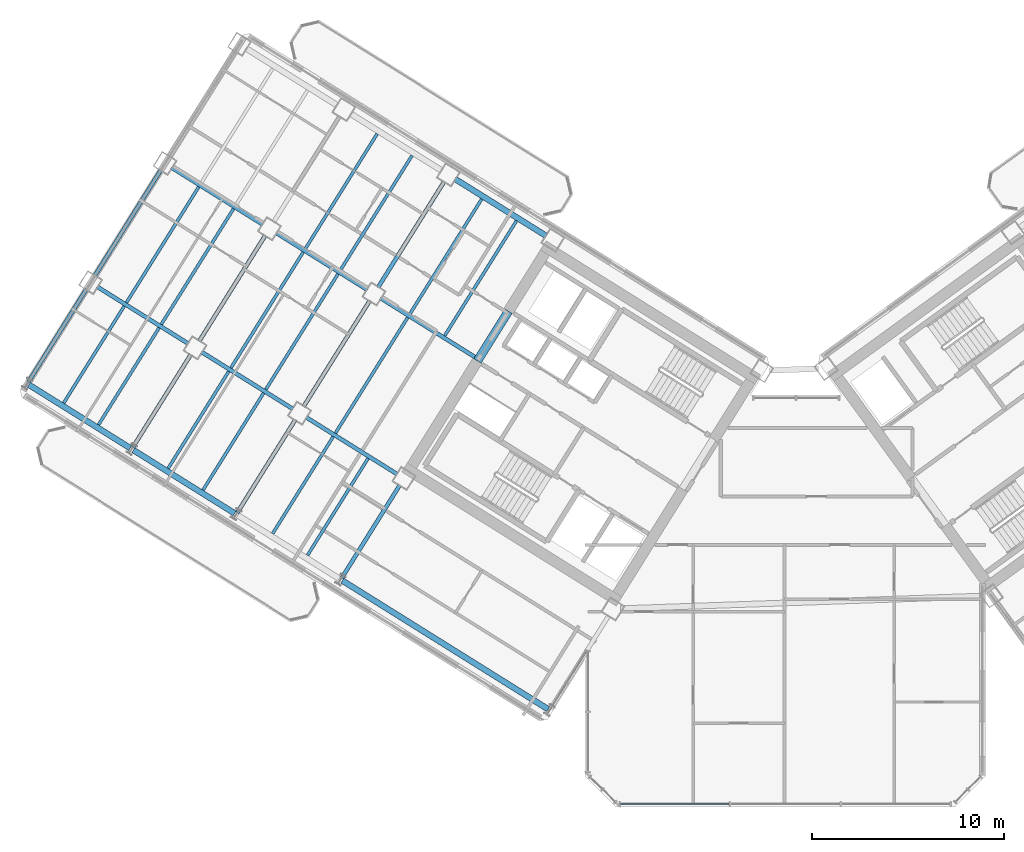
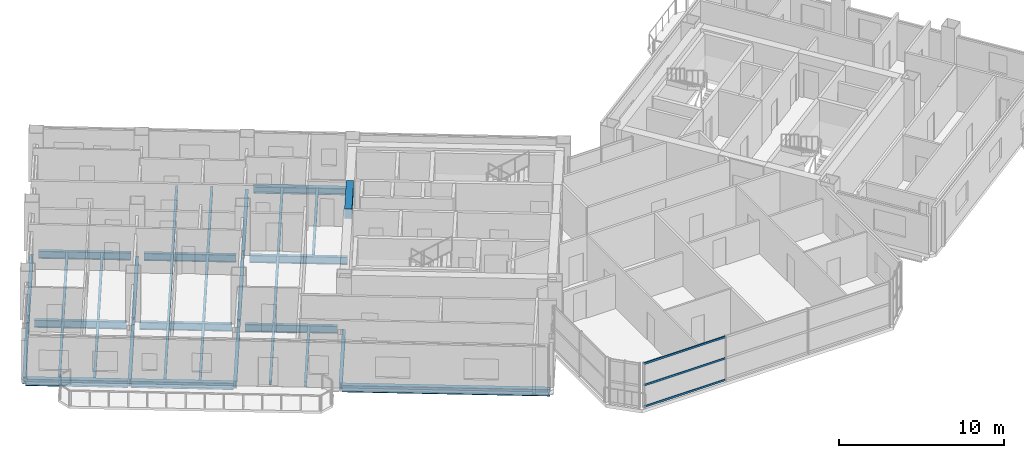
# One storey, part 7 of 29: 34 beams, 3 members, 1 element without a shape of its own.
"""IFC4 building model written with IfcOpenShell, lengths in metres."""

from ifc_helpers import new_model, si_unit, direction, frame, origin, origin_2d, place, context, subcontext, project, spatial, rectangle, hollow_rectangle, i_section, extrude, source, transform, mapped, material, material_profile, profile_set, type_object, element, aggregate, save


model = new_model("IFC4")

# Units and contexts
model_context = context("Model", 3, precision=1e-05, world=origin(), true_north=direction((0.0, 1.0)))
body_context = subcontext(model_context, "Body", "Model", "MODEL_VIEW")
ifc_project = project(units=[si_unit("LENGTHUNIT", "METRE"), si_unit("AREAUNIT", "SQUARE_METRE"), si_unit("VOLUMEUNIT", "CUBIC_METRE"), si_unit("PLANEANGLEUNIT", "RADIAN"), si_unit("MASSUNIT", "GRAM", prefix="KILO")], contexts=[model_context])

# Site, building, storey
site_placement = place(None, origin())
site = spatial("IfcSite", under=ifc_project, at=site_placement, CompositionType="ELEMENT")
building_placement = place(site_placement, origin())
building = spatial("IfcBuilding", under=site, at=building_placement, Name="Tlacorven Tower", CompositionType="ELEMENT")
storey_placement = place(building_placement, frame((0.0, 0.0, 165.89990234375)))
storey = spatial("IfcBuildingStorey", under=building, at=storey_placement, Name="L42", CompositionType="ELEMENT", Elevation=165.89990234375)

# Beams
ifc_material_1 = material(Name="Concrete C60/75", Category="concrete")
ifc_material_profile_1 = material_profile(ifc_material_1, rectangle(XDim=0.449951171875, YDim=0.699951171875, at=origin_2d()), Name="RC 450X700")
ifc_profile_set_1 = profile_set([ifc_material_profile_1], Name="Concrete C60/75")
beam_type_1 = type_object("IfcBeamType", Name="BM-LNT-700", PredefinedType="LINTEL", material=ifc_profile_set_1)
shared_shape_1 = source(origin(), body_context, "Body", "SweptSolid", [
    extrude(rectangle(XDim=0.449951171875, YDim=0.699951171875, at=origin_2d()), origin(), (0.0, 0.0, 1.0), 3.0498046875),
])
beam_1_placement = place(storey_placement, frame((27.622802734375, 27.562255859375, 2.97021484375), z_axis=(-0.529926983584, -0.848043272522, 0.0), x_axis=(0.848043272522, -0.529926983584, 0.0)))
element("IfcBeam", 1, at=beam_1_placement, inside=storey, type_object=beam_type_1, Name="L42 W core coupling lintel beam E2", PredefinedType="LINTEL", context=body_context, shape_type="MappedRepresentation", body=[
    mapped(shared_shape_1, transform((0.0, 0.0, 0.0), scale=1.0)),
])
ifc_material_2 = material(Name="Steel S355J2", Category="steel")
ifc_material_profile_2 = material_profile(ifc_material_2, i_section(OverallWidth=0.300048828125, OverallDepth=0.489990234375, WebThickness=0.011962890625, FlangeThickness=0.02294921875, at=origin_2d()), Name="HEA 500")
ifc_profile_set_2 = profile_set([ifc_material_profile_2], Name="Steel S355J2")
beam_type_2 = type_object("IfcBeamType", Name="BM-SPN-500", PredefinedType="SPANDREL", material=ifc_profile_set_2)
shared_shape_2 = source(origin(), body_context, "Body", "SweptSolid", [
    extrude(i_section(OverallWidth=0.300048828125, OverallDepth=0.489990234375, WebThickness=0.011962890625, FlangeThickness=0.02294921875, at=origin_2d()), origin(), (0.0, 0.0, 1.0), 12.599853515625),
])
beam_2_placement = place(storey_placement, frame((29.67578125, 6.882080078125, -0.494873046875), z_axis=(-0.848045108756, 0.529924045043, 0.0), x_axis=(-0.529924045043, -0.848045108756, 0.0)))
element("IfcBeam", 2, at=beam_2_placement, inside=storey, type_object=beam_type_2, Name="L42 beam BM-L42-WL4-1", PredefinedType="SPANDREL", context=body_context, shape_type="MappedRepresentation", body=[
    mapped(shared_shape_2, transform((0.0, 0.0, 0.0), scale=1.0)),
])
shared_shape_3 = source(origin(), body_context, "Body", "SweptSolid", [
    extrude(i_section(OverallWidth=0.300048828125, OverallDepth=0.489990234375, WebThickness=0.011962890625, FlangeThickness=0.02294921875, at=origin_2d()), origin(), (0.0, 0.0, 1.0), 6.199951171875),
])
for number, where, z_axis, x_axis, name in (
    (3, (13.393310546875, 17.056396484375, -0.494873046875), (-0.848033697614, 0.529942306022, 0.0), (-0.529942306022, -0.848033697614, 0.0), "L42 beam BM-L42-WL4-4"),
    (4, (7.9658203125, 20.447998046875, -0.494873046875), (-0.848051394107, 0.529913986372, 0.0), (-0.529913986372, -0.848051394107, 0.0), "L42 beam BM-L42-WL4-5"),
):
    element("IfcBeam", number, at=place(storey_placement, frame(where, z_axis=z_axis, x_axis=x_axis)), inside=storey, type_object=beam_type_2, Name=name, PredefinedType="SPANDREL", context=body_context, shape_type="MappedRepresentation", body=[
        mapped(shared_shape_3, transform((0.0, 0.0, 0.0), scale=1.0)),
    ])
ifc_material_profile_3 = material_profile(ifc_material_2, i_section(OverallWidth=0.2099609375, OverallDepth=0.550048828125, WebThickness=0.010986328125, FlangeThickness=0.01708984375, at=origin_2d()), Name="IPE 550")
ifc_profile_set_3 = profile_set([ifc_material_profile_3], Name="Steel S355J2")
beam_type_3 = type_object("IfcBeamType", Name="BM-TWR-550", PredefinedType="BEAM", material=ifc_profile_set_3)
shared_shape_4 = source(origin(), body_context, "Body", "SweptSolid", [
    extrude(i_section(OverallWidth=0.2099609375, OverallDepth=0.550048828125, WebThickness=0.010986328125, FlangeThickness=0.01708984375, at=origin_2d()), origin(), (0.0, 0.0, 1.0), 5.599853515625),
])
for number, where, z_axis, x_axis, name in (
    (5, (20.292724609375, 28.6640625, -0.52490234375), (-0.848047285686, 0.529920561254, 0.0), (-0.529920561254, -0.848047285686, 0.0), "L42 beam BM-L42-WL2-4"),
    (6, (21.851806640625, 19.081787109375, -0.52490234375), (-0.848047285686, 0.529920561254, 0.0), (-0.529920561254, -0.848047285686, 0.0), "L42 beam BM-L42-WL3-3"),
    (7, (16.42431640625, 22.473388671875, -0.52490234375), (-0.848047285686, 0.529920561254, 0.0), (-0.529920561254, -0.848047285686, 0.0), "L42 beam BM-L42-WL3-4"),
    (8, (10.996826171875, 25.86474609375, -0.52490234375), (-0.848047285686, 0.529920561254, 0.0), (-0.529920561254, -0.848047285686, 0.0), "L42 beam BM-L42-WL3-5"),
):
    element("IfcBeam", number, at=place(storey_placement, frame(where, z_axis=z_axis, x_axis=x_axis)), inside=storey, type_object=beam_type_3, Name=name, PredefinedType="BEAM", context=body_context, shape_type="MappedRepresentation", body=[
        mapped(shared_shape_4, transform((0.0, 0.0, 0.0), scale=1.0)),
    ])
shared_shape_5 = source(origin(), body_context, "Body", "SweptSolid", [
    extrude(i_section(OverallWidth=0.2099609375, OverallDepth=0.550048828125, WebThickness=0.010986328125, FlangeThickness=0.01708984375, at=origin_2d()), origin(), (0.0, 0.0, 1.0), 5.960205078125),
])
beam_3_placement = place(storey_placement, frame((26.025634765625, 25.081787109375, -0.52490234375), z_axis=(-0.848042024898, 0.529928980153, 0.0), x_axis=(-0.529928980153, -0.848042024898, 0.0)))
element("IfcBeam", 9, at=beam_3_placement, inside=storey, type_object=beam_type_3, Name="L42 beam BM-L42-WL2-3", PredefinedType="BEAM", context=body_context, shape_type="MappedRepresentation", body=[
    mapped(shared_shape_5, transform((0.0, 0.0, 0.0), scale=1.0)),
])
shared_shape_6 = source(origin(), body_context, "Body", "SweptSolid", [
    extrude(i_section(OverallWidth=0.2099609375, OverallDepth=0.550048828125, WebThickness=0.010986328125, FlangeThickness=0.01708984375, at=origin_2d()), origin(), (0.0, 0.0, 1.0), 5.60009765625),
])
beam_4_placement = place(storey_placement, frame((14.865234375, 32.055419921875, -0.52490234375), z_axis=(-0.848027693204, 0.529951914384, 0.0), x_axis=(-0.529951914384, -0.848027693204, 0.0)))
element("IfcBeam", 10, at=beam_4_placement, inside=storey, type_object=beam_type_3, Name="L42 beam BM-L42-WL2-5", PredefinedType="BEAM", context=body_context, shape_type="MappedRepresentation", body=[
    mapped(shared_shape_6, transform((0.0, 0.0, 0.0), scale=1.0)),
])
shared_shape_7 = source(origin(), body_context, "Body", "SweptSolid", [
    extrude(i_section(OverallWidth=0.300048828125, OverallDepth=0.489990234375, WebThickness=0.011962890625, FlangeThickness=0.02294921875, at=origin_2d()), origin(), (0.0, 0.0, 1.0), 5.599853515625),
])
beam_5_placement = place(storey_placement, frame((29.588623046875, 31.46337890625, -0.494873046875), z_axis=(-0.848047285686, 0.529920561254, 0.0), x_axis=(-0.529920561254, -0.848047285686, 0.0)))
element("IfcBeam", 11, at=beam_5_placement, inside=storey, type_object=beam_type_2, Name="L42 beam BM-L42-WL1-3", PredefinedType="SPANDREL", context=body_context, shape_type="MappedRepresentation", body=[
    mapped(shared_shape_7, transform((0.0, 0.0, 0.0), scale=1.0)),
])
shared_shape_8 = source(origin(), body_context, "Body", "SweptSolid", [
    extrude(i_section(OverallWidth=0.2099609375, OverallDepth=0.550048828125, WebThickness=0.010986328125, FlangeThickness=0.01708984375, at=origin_2d()), origin(), (0.0, 0.0, 1.0), 5.7001953125),
])
for number, where, z_axis, x_axis, name in (
    (12, (16.5517578125, 21.922119140625, -0.52490234375), (-0.529937340199, -0.848036800771, 0.0), (0.848036800771, -0.529937340199, 0.0), "L42 beam BM-L42-WT4-3"),
    (13, (11.1240234375, 25.313720703125, -0.52490234375), (-0.529906537151, -0.848056048787, 0.0), (0.848056048787, -0.529906537151, 0.0), "L42 beam BM-L42-WT5-3"),
    (14, (5.696533203125, 28.705078125, -0.52490234375), (-0.529906537151, -0.848056048787, 0.0), (0.848056048787, -0.529906537151, 0.0), "L42 beam BM-L42-WT6-3"),
):
    element("IfcBeam", number, at=place(storey_placement, frame(where, z_axis=z_axis, x_axis=x_axis)), inside=storey, type_object=beam_type_3, Name=name, PredefinedType="BEAM", context=body_context, shape_type="MappedRepresentation", body=[
        mapped(shared_shape_8, transform((0.0, 0.0, 0.0), scale=1.0)),
    ])
shared_shape_9 = source(origin(), body_context, "Body", "SweptSolid", [
    extrude(i_section(OverallWidth=0.2099609375, OverallDepth=0.550048828125, WebThickness=0.010986328125, FlangeThickness=0.01708984375, at=origin_2d()), origin(), (0.0, 0.0, 1.0), 5.699951171875),
])
beam_6_placement = place(storey_placement, frame((21.979248046875, 18.530517578125, -0.52490234375), z_axis=(-0.5299565889, -0.848024771974, 0.0), x_axis=(0.848024771974, -0.5299565889, 0.0)))
element("IfcBeam", 15, at=beam_6_placement, inside=storey, type_object=beam_type_3, Name="L42 beam BM-L42-WT3-2", PredefinedType="BEAM", context=body_context, shape_type="MappedRepresentation", body=[
    mapped(shared_shape_9, transform((0.0, 0.0, 0.0), scale=1.0)),
])
shared_shape_10 = source(origin(), body_context, "Body", "SweptSolid", [
    extrude(i_section(OverallWidth=0.2099609375, OverallDepth=0.550048828125, WebThickness=0.010986328125, FlangeThickness=0.01708984375, at=origin_2d()), origin(), (0.0, 0.0, 1.0), 6.500244140625),
])
beam_7_placement = place(storey_placement, frame((24.28857421875, 34.3037109375, -0.52490234375), z_axis=(-0.529921287515, -0.848046831866, 0.0), x_axis=(0.848046831866, -0.529921287515, 0.0)))
element("IfcBeam", 16, at=beam_7_placement, inside=storey, type_object=beam_type_3, Name="L42 beam BM-L42-WT4-1", PredefinedType="BEAM", context=body_context, shape_type="MappedRepresentation", body=[
    mapped(shared_shape_10, transform((0.0, 0.0, 0.0), scale=1.0)),
])
shared_shape_11 = source(origin(), body_context, "Body", "SweptSolid", [
    extrude(i_section(OverallWidth=0.2099609375, OverallDepth=0.550048828125, WebThickness=0.010986328125, FlangeThickness=0.01708984375, at=origin_2d()), origin(), (0.0, 0.0, 1.0), 6.5),
])
for number, where, z_axis, x_axis, name in (
    (17, (20.420166015625, 28.11279296875, -0.52490234375), (-0.529938166933, -0.848036284146, 0.0), (0.848036284146, -0.529938166933, 0.0), "L42 beam BM-L42-WT4-2"),
    (18, (14.992431640625, 31.50439453125, -0.52490234375), (-0.529894274829, -0.848063710757, 0.0), (0.848063710757, -0.529894274829, 0.0), "L42 beam BM-L42-WT5-2"),
):
    element("IfcBeam", number, at=place(storey_placement, frame(where, z_axis=z_axis, x_axis=x_axis)), inside=storey, type_object=beam_type_3, Name=name, PredefinedType="BEAM", context=body_context, shape_type="MappedRepresentation", body=[
        mapped(shared_shape_11, transform((0.0, 0.0, 0.0), scale=1.0)),
    ])
shared_shape_12 = source(origin(), body_context, "Body", "SweptSolid", [
    extrude(i_section(OverallWidth=0.2099609375, OverallDepth=0.550048828125, WebThickness=0.010986328125, FlangeThickness=0.01708984375, at=origin_2d()), origin(), (0.0, 0.0, 1.0), 6.499755859375),
])
beam_8_placement = place(storey_placement, frame((9.56494140625, 34.895751953125, -0.52490234375), z_axis=(-0.529911154058, -0.848053163902, 0.0), x_axis=(0.848053163902, -0.529911154058, 0.0)))
element("IfcBeam", 19, at=beam_8_placement, inside=storey, type_object=beam_type_3, Name="L42 beam BM-L42-WT6-2", PredefinedType="BEAM", context=body_context, shape_type="MappedRepresentation", body=[
    mapped(shared_shape_12, transform((0.0, 0.0, 0.0), scale=1.0)),
])
ifc_material_profile_4 = material_profile(ifc_material_2, i_section(OverallWidth=0.159912109375, OverallDepth=0.330078125, WebThickness=0.007568359375, FlangeThickness=0.011474609375, at=origin_2d()), Name="IPE 330")
ifc_profile_set_4 = profile_set([ifc_material_profile_4], Name="Steel S355J2")
beam_type_4 = type_object("IfcBeamType", Name="BM-JST-330", PredefinedType="JOIST", material=ifc_profile_set_4)
shared_shape_13 = source(origin(), body_context, "Body", "SweptSolid", [
    extrude(i_section(OverallWidth=0.159912109375, OverallDepth=0.330078125, WebThickness=0.007568359375, FlangeThickness=0.011474609375, at=origin_2d()), origin(), (0.0, 0.0, 1.0), 5.93505859375),
])
for number, where, z_axis, x_axis, name in (
    (20, (20.32373046875, 19.906982421875, -0.414794921875), (-0.529910194899, -0.848053763238, 0.0), (0.848053763238, -0.529910194899, 0.0), "L42 beam BM-L42-WJ3-3-1"),
    (21, (18.514404296875, 21.03759765625, -0.414794921875), (-0.529910194899, -0.848053763238, 0.0), (0.848053763238, -0.529910194899, 0.0), "L42 beam BM-L42-WJ3-3-2"),
    (22, (14.896240234375, 23.298583984375, -0.414794921875), (-0.529910194899, -0.848053763238, 0.0), (0.848053763238, -0.529910194899, 0.0), "L42 beam BM-L42-WJ4-3-1"),
    (23, (9.46875, 26.68994140625, -0.414794921875), (-0.529939778535, -0.848035277053, 0.0), (0.848035277053, -0.529939778535, 0.0), "L42 beam BM-L42-WJ5-3-1"),
    (24, (7.659423828125, 27.820556640625, -0.414794921875), (-0.529910194899, -0.848053763238, 0.0), (0.848053763238, -0.529910194899, 0.0), "L42 beam BM-L42-WJ5-3-2"),
):
    element("IfcBeam", number, at=place(storey_placement, frame(where, z_axis=z_axis, x_axis=x_axis)), inside=storey, type_object=beam_type_4, Name=name, PredefinedType="JOIST", context=body_context, shape_type="MappedRepresentation", body=[
        mapped(shared_shape_13, transform((0.0, 0.0, 0.0), scale=1.0)),
    ])
shared_shape_14 = source(origin(), body_context, "Body", "SweptSolid", [
    extrude(i_section(OverallWidth=0.159912109375, OverallDepth=0.330078125, WebThickness=0.007568359375, FlangeThickness=0.011474609375, at=origin_2d()), origin(), (0.0, 0.0, 1.0), 7.080078125),
])
beam_9_placement = place(storey_placement, frame((18.7646484375, 29.4892578125, -0.414794921875), z_axis=(-0.529933847046, -0.848038983629, 0.0), x_axis=(0.848038983629, -0.529933847046, 0.0)))
element("IfcBeam", 25, at=beam_9_placement, inside=storey, type_object=beam_type_4, Name="L42 beam BM-L42-WJ4-2-1", PredefinedType="JOIST", context=body_context, shape_type="MappedRepresentation", body=[
    mapped(shared_shape_14, transform((0.0, 0.0, 0.0), scale=1.0)),
])
shared_shape_15 = source(origin(), body_context, "Body", "SweptSolid", [
    extrude(i_section(OverallWidth=0.159912109375, OverallDepth=0.330078125, WebThickness=0.007568359375, FlangeThickness=0.011474609375, at=origin_2d()), origin(), (0.0, 0.0, 1.0), 7.03515625),
])
for number, where, z_axis, x_axis, name in (
    (26, (28.03662109375, 32.25048828125, -0.414794921875), (-0.529920952588, -0.848047041153, 0.0), (0.848047041153, -0.529920952588, 0.0), "L42 beam BM-L42-WJ3-1-1"),
    (27, (26.2275390625, 33.380859375, -0.414794921875), (-0.529920952588, -0.848047041153, 0.0), (0.848047041153, -0.529920952588, 0.0), "L42 beam BM-L42-WJ3-1-2"),
    (28, (22.609130859375, 35.641845703125, -0.414794921875), (-0.529920952588, -0.848047041153, 0.0), (0.848047041153, -0.529920952588, 0.0), "L42 beam BM-L42-WJ4-1-1"),
    (29, (20.800048828125, 36.7724609375, -0.414794921875), (-0.529920952588, -0.848047041153, 0.0), (0.848047041153, -0.529920952588, 0.0), "L42 beam BM-L42-WJ4-1-2"),
):
    element("IfcBeam", number, at=place(storey_placement, frame(where, z_axis=z_axis, x_axis=x_axis)), inside=storey, type_object=beam_type_4, Name=name, PredefinedType="JOIST", context=body_context, shape_type="MappedRepresentation", body=[
        mapped(shared_shape_15, transform((0.0, 0.0, 0.0), scale=1.0)),
    ])
shared_shape_16 = source(origin(), body_context, "Body", "SweptSolid", [
    extrude(i_section(OverallWidth=0.159912109375, OverallDepth=0.330078125, WebThickness=0.007568359375, FlangeThickness=0.011474609375, at=origin_2d()), origin(), (0.0, 0.0, 1.0), 5.934814453125),
])
beam_10_placement = place(storey_placement, frame((13.0869140625, 24.428955078125, -0.414794921875), z_axis=(-0.52992868149, -0.848042211529, 0.0), x_axis=(0.848042211529, -0.52992868149, 0.0)))
element("IfcBeam", 30, at=beam_10_placement, inside=storey, type_object=beam_type_4, Name="L42 beam BM-L42-WJ4-3-2", PredefinedType="JOIST", context=body_context, shape_type="MappedRepresentation", body=[
    mapped(shared_shape_16, transform((0.0, 0.0, 0.0), scale=1.0)),
])
shared_shape_17 = source(origin(), body_context, "Body", "SweptSolid", [
    extrude(i_section(OverallWidth=0.159912109375, OverallDepth=0.330078125, WebThickness=0.007568359375, FlangeThickness=0.011474609375, at=origin_2d()), origin(), (0.0, 0.0, 1.0), 7.079833984375),
])
for number, where, z_axis, x_axis, name in (
    (31, (22.3828125, 27.228271484375, -0.414794921875), (-0.529909047265, -0.848054480341, 0.0), (0.848054480341, -0.529909047265, 0.0), "L42 beam BM-L42-WJ3-2-2"),
    (32, (16.955322265625, 30.619873046875, -0.414794921875), (-0.529909047265, -0.848054480341, 0.0), (0.848054480341, -0.529909047265, 0.0), "L42 beam BM-L42-WJ4-2-2"),
    (33, (11.52783203125, 34.01123046875, -0.414794921875), (-0.529909047265, -0.848054480341, 0.0), (0.848054480341, -0.529909047265, 0.0), "L42 beam BM-L42-WJ5-2-2"),
):
    element("IfcBeam", number, at=place(storey_placement, frame(where, z_axis=z_axis, x_axis=x_axis)), inside=storey, type_object=beam_type_4, Name=name, PredefinedType="JOIST", context=body_context, shape_type="MappedRepresentation", body=[
        mapped(shared_shape_17, transform((0.0, 0.0, 0.0), scale=1.0)),
    ])
shared_shape_18 = source(origin(), body_context, "Body", "SweptSolid", [
    extrude(i_section(OverallWidth=0.159912109375, OverallDepth=0.330078125, WebThickness=0.007568359375, FlangeThickness=0.011474609375, at=origin_2d()), origin(), (0.0, 0.0, 1.0), 7.080322265625),
])
beam_11_placement = place(storey_placement, frame((13.337158203125, 32.880859375, -0.414794921875), z_axis=(-0.52991835062, -0.848048667045, 0.0), x_axis=(0.848048667045, -0.52991835062, 0.0)))
element("IfcBeam", 34, at=beam_11_placement, inside=storey, type_object=beam_type_4, Name="L42 beam BM-L42-WJ5-2-1", PredefinedType="JOIST", context=body_context, shape_type="MappedRepresentation", body=[
    mapped(shared_shape_18, transform((0.0, 0.0, 0.0), scale=1.0)),
])

# Curtain wall, members
ifc_material_3 = material(Name="Dark solar low-E double glazing in aluminium frame", Category="aluminium")
curtain_wall_type = type_object("IfcCurtainWallType", Name="CW-TWR-MID", PredefinedType="USERDEFINED", material=ifc_material_3)
curtain_wall_placement = place(storey_placement, origin())
curtain_wall = element("IfcCurtainWall", 35, at=curtain_wall_placement, inside=storey, type_object=curtain_wall_type, Name="L42 CW-TWR-MID Curtain Wall 191", ObjectType="UNITISED CURTAIN WALL", PredefinedType="USERDEFINED")
ifc_material_4 = material(Name="Aluminium 6063-T6 anodised", Category="aluminium")
ifc_material_profile_5 = material_profile(ifc_material_4, hollow_rectangle(XDim=0.06005859375, YDim=0.139892578125, WallThickness=0.00390625, at=origin_2d()), Name="ALU TRANSOM 60X140")
ifc_profile_set_5 = profile_set([ifc_material_profile_5], Name="Aluminium 6063-T6 anodised")
member_type = type_object("IfcMemberType", Name="CWT-02", PredefinedType="USERDEFINED", material=ifc_profile_set_5)
shared_shape_19 = source(origin(), body_context, "Body", "SweptSolid", [
    extrude(hollow_rectangle(XDim=0.06005859375, YDim=0.139892578125, WallThickness=0.00390625, at=origin_2d()), origin(), (0.0, 0.0, 1.0), 5.682373046875),
])
member_1_placement = place(storey_placement, frame((39.1015625, 1.9599609375, 0.070068359375), z_axis=(-1.0, 0.0, 0.0), x_axis=(0.0, -1.0, 0.0)))
member_1 = element("IfcMember", 36, at=member_1_placement, type_object=member_type, Name="CW-L42-191 Transom 7", ObjectType="TRANSOM", PredefinedType="USERDEFINED", context=body_context, shape_type="MappedRepresentation", body=[
    mapped(shared_shape_19, transform((0.0, 0.0, 0.0), scale=1.0)),
])
member_2_placement = place(storey_placement, frame((39.1015625, 1.9599609375, 1.66015625), z_axis=(-1.0, 0.0, 0.0), x_axis=(0.0, -1.0, 0.0)))
member_2 = element("IfcMember", 37, at=member_2_placement, type_object=member_type, Name="CW-L42-191 Transom 8", ObjectType="TRANSOM", PredefinedType="USERDEFINED", context=body_context, shape_type="MappedRepresentation", body=[
    mapped(shared_shape_19, transform((0.0, 0.0, 0.0), scale=1.0)),
])
member_3_placement = place(storey_placement, frame((39.1015625, 1.9599609375, 3.25), z_axis=(-1.0, 0.0, 0.0), x_axis=(0.0, -1.0, 0.0)))
member_3 = element("IfcMember", 38, at=member_3_placement, type_object=member_type, Name="CW-L42-191 Transom 9", ObjectType="TRANSOM", PredefinedType="USERDEFINED", context=body_context, shape_type="MappedRepresentation", body=[
    mapped(shared_shape_19, transform((0.0, 0.0, 0.0), scale=1.0)),
])
aggregate(curtain_wall, [member_1, member_2, member_3])

save(model, "model.ifc")
